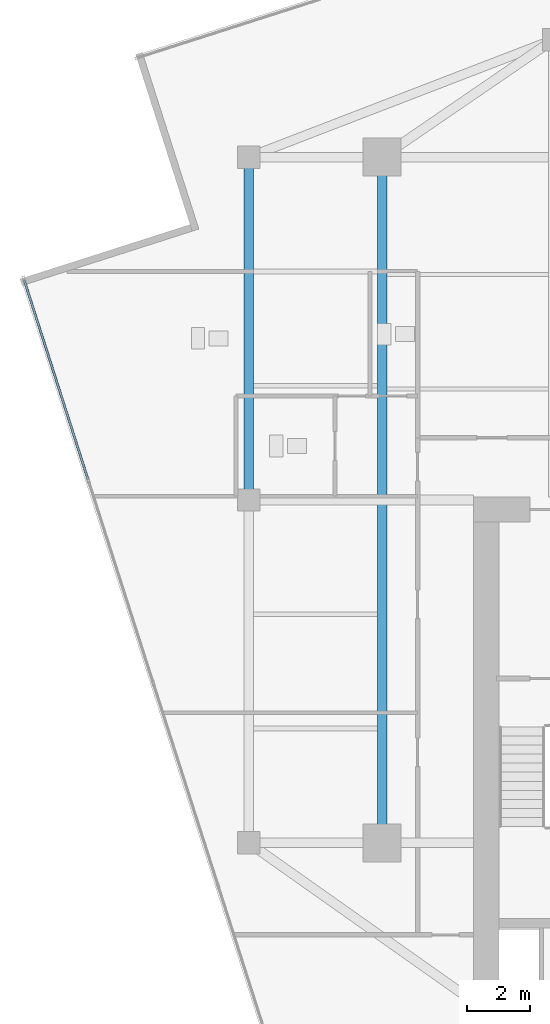
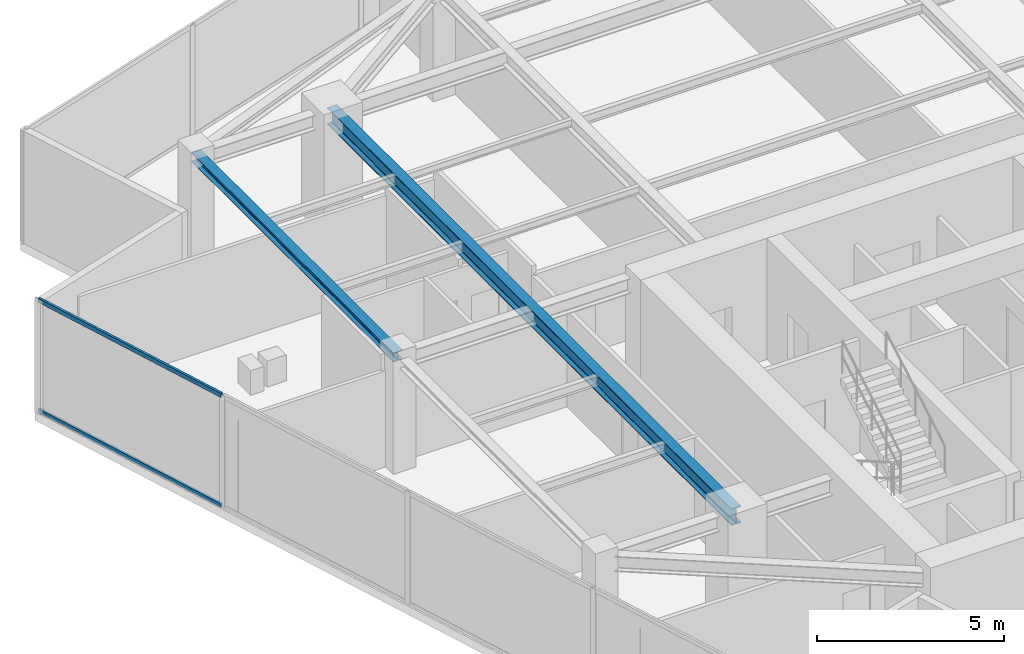
# One storey, part 6 of 21: 2 beams, 2 members, 1 element without a shape of its own.
"""IFC4 building model written with IfcOpenShell, lengths in metres."""

from ifc_helpers import new_model, si_unit, direction, frame, origin, origin_2d, place, context, subcontext, project, spatial, hollow_rectangle, i_section, extrude, source, transform, mapped, material, material_profile, profile_set, type_object, type_shapes, element, aggregate, save


model = new_model("IFC4")

# Units and contexts
model_context = context("Model", 3, precision=1e-05, world=origin(), true_north=direction((0.0, 1.0)))
body_context = subcontext(model_context, "Body", "Model", "MODEL_VIEW")
ifc_project = project(units=[si_unit("LENGTHUNIT", "METRE"), si_unit("AREAUNIT", "SQUARE_METRE"), si_unit("VOLUMEUNIT", "CUBIC_METRE"), si_unit("PLANEANGLEUNIT", "RADIAN"), si_unit("MASSUNIT", "GRAM", prefix="KILO")], contexts=[model_context])

# Site, building, storey
site_placement = place(None, origin())
site = spatial("IfcSite", under=ifc_project, at=site_placement, CompositionType="ELEMENT")
building_placement = place(site_placement, origin())
building = spatial("IfcBuilding", under=site, at=building_placement, Name="Krantzveldt Concourse Tower", CompositionType="ELEMENT")
storey_placement = place(building_placement, frame((0.0, 0.0, 339.550048828125)))
storey = spatial("IfcBuildingStorey", under=building, at=storey_placement, Name="L83", CompositionType="ELEMENT", Elevation=339.550048828125)

# Beams
ifc_material_1 = material(Name="Steel S355JR", Category="steel")
ifc_material_profile_1 = material_profile(ifc_material_1, i_section(OverallWidth=0.300048828125, OverallDepth=0.5400390625, WebThickness=0.012451171875, FlangeThickness=0.02392578125, FilletRadius=0.027099609375, at=origin_2d()), Name="Steel S355JR", Category="steel")
ifc_profile_set_1 = profile_set([ifc_material_profile_1], Name="Steel S355JR - HEA 550")
beam_type_1 = type_object("IfcBeamType", Name="BM-B-HEA550", PredefinedType="BEAM", material=ifc_profile_set_1)
shared_shape_1 = source(origin(), body_context, "Body", "SweptSolid", [
    extrude(i_section(OverallWidth=0.300048828125, OverallDepth=0.5400390625, WebThickness=0.012451171875, FlangeThickness=0.02392578125, FilletRadius=0.027099609375, at=origin_2d()), origin(), (0.0, 0.0, 1.0), 21.60009765625),
])
type_shapes(beam_type_1, [shared_shape_1])
beam_1_placement = place(storey_placement, frame((25.199951171875, 15.89990234375, 3.39990234375), z_axis=(0.0, 1.0, 0.0), x_axis=(-1.0, 0.0, 0.0)))
element("IfcBeam", 1, at=beam_1_placement, inside=storey, type_object=beam_type_1, Name="L83 Tower Girder BG-MW", PredefinedType="BEAM", context=body_context, shape_type="MappedRepresentation", body=[
    mapped(shared_shape_1, transform((0.0, 0.0, 0.0), x_axis=(1.0, 0.0, 0.0), y_axis=(0.0, 1.0, 0.0), z_axis=(0.0, 0.0, 1.0), scale=1.0)),
])
ifc_material_profile_2 = material_profile(ifc_material_1, i_section(OverallWidth=0.2900390625, OverallDepth=0.2900390625, WebThickness=0.008544921875, FlangeThickness=0.013916015625, FilletRadius=0.027099609375, at=origin_2d()), Name="Steel S355JR", Category="steel")
ifc_profile_set_2 = profile_set([ifc_material_profile_2], Name="Steel S355JR - HEA 300")
beam_type_2 = type_object("IfcBeamType", Name="BM-SP-HEA300", PredefinedType="SPANDREL", material=ifc_profile_set_2)
shared_shape_2 = source(origin(), body_context, "Body", "SweptSolid", [
    extrude(i_section(OverallWidth=0.2900390625, OverallDepth=0.2900390625, WebThickness=0.008544921875, FlangeThickness=0.013916015625, FilletRadius=0.027099609375, at=origin_2d()), origin(), (0.0, 0.0, 1.0), 10.800048828125),
])
type_shapes(beam_type_2, [shared_shape_2])
beam_2_placement = place(storey_placement, frame((21.0, 26.699951171875, 3.52490234375), z_axis=(0.0, 1.0, 0.0), x_axis=(-1.0, 0.0, 0.0)))
element("IfcBeam", 2, at=beam_2_placement, inside=storey, type_object=beam_type_2, Name="L83 Tower Girder SP-R02", PredefinedType="SPANDREL", context=body_context, shape_type="MappedRepresentation", body=[
    mapped(shared_shape_2, transform((0.0, 0.0, 0.0), x_axis=(1.0, 0.0, 0.0), y_axis=(0.0, 1.0, 0.0), z_axis=(0.0, 0.0, 1.0), scale=1.0)),
])

# Curtain wall, members
ifc_material_2 = material(Name="Anodised aluminium 6063-T6", Category="aluminium")
curtain_wall_type = type_object("IfcCurtainWallType", Name="CW4", PredefinedType="USERDEFINED", material=ifc_material_2)
curtain_wall_placement = place(storey_placement, origin())
curtain_wall = element("IfcCurtainWall", 3, at=curtain_wall_placement, inside=storey, type_object=curtain_wall_type, Name="CW-L83-F04", ObjectType="UNITISED CURTAIN WALL", PredefinedType="USERDEFINED")
ifc_material_profile_3 = material_profile(ifc_material_2, hollow_rectangle(XDim=0.070068359375, YDim=0.139892578125, WallThickness=0.0048828125, at=origin_2d()), Name="Anodised aluminium 6063-T6", Category="aluminium")
ifc_profile_set_3 = profile_set([ifc_material_profile_3], Name="Anodised aluminium 6063-T6 - ALU-TRAN 140x70x5")
member_type = type_object("IfcMemberType", Name="CW-TRN-150", PredefinedType="USERDEFINED", material=ifc_profile_set_3)
shared_shape_3 = source(origin(), body_context, "Body", "SweptSolid", [
    extrude(hollow_rectangle(XDim=0.070068359375, YDim=0.139892578125, WallThickness=0.0048828125, at=origin_2d()), origin(), (0.0, 0.0, 1.0), 6.594970703125),
])
type_shapes(member_type, [shared_shape_3])
member_1_placement = place(storey_placement, frame((13.92626953125, 33.63037109375, 0.034912109375), z_axis=(0.304888555035, -0.952388034894, 0.0), x_axis=(0.952388034894, 0.304888555035, 0.0)))
member_1 = element("IfcMember", 4, at=member_1_placement, type_object=member_type, Name="CW-Z56 transom 1.1", ObjectType="TRANSOM", PredefinedType="USERDEFINED", context=body_context, shape_type="MappedRepresentation", body=[
    mapped(shared_shape_3, transform((0.0, 0.0, 0.0), x_axis=(1.0, 0.0, 0.0), y_axis=(0.0, 1.0, 0.0), z_axis=(0.0, 0.0, 1.0), scale=1.0)),
])
member_2_placement = place(storey_placement, frame((13.92626953125, 33.63037109375, 3.635009765625), z_axis=(0.304888555035, -0.952388034894, 0.0), x_axis=(0.952388034894, 0.304888555035, 0.0)))
member_2 = element("IfcMember", 5, at=member_2_placement, type_object=member_type, Name="CW-Z56 transom 1.2", ObjectType="TRANSOM", PredefinedType="USERDEFINED", context=body_context, shape_type="MappedRepresentation", body=[
    mapped(shared_shape_3, transform((0.0, 0.0, 0.0), x_axis=(1.0, 0.0, 0.0), y_axis=(0.0, 1.0, 0.0), z_axis=(0.0, 0.0, 1.0), scale=1.0)),
])
aggregate(curtain_wall, [member_1, member_2])

save(model, "model.ifc")
